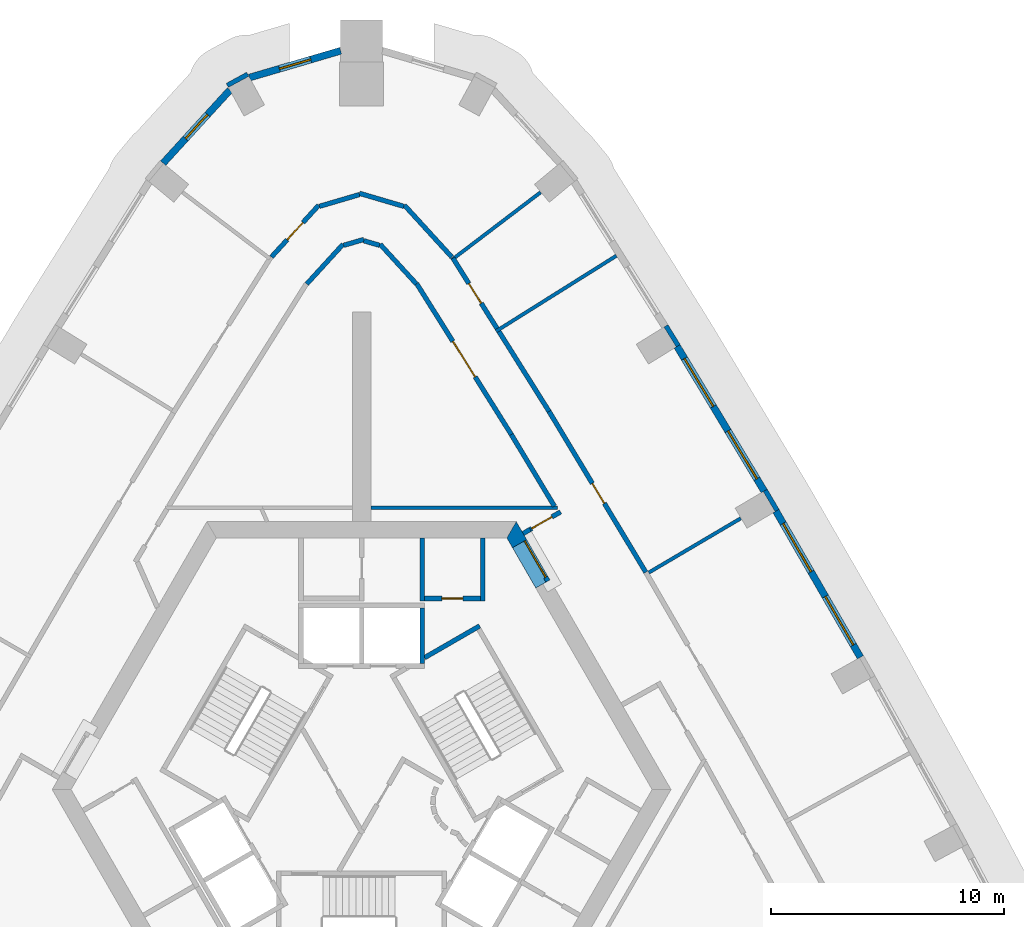
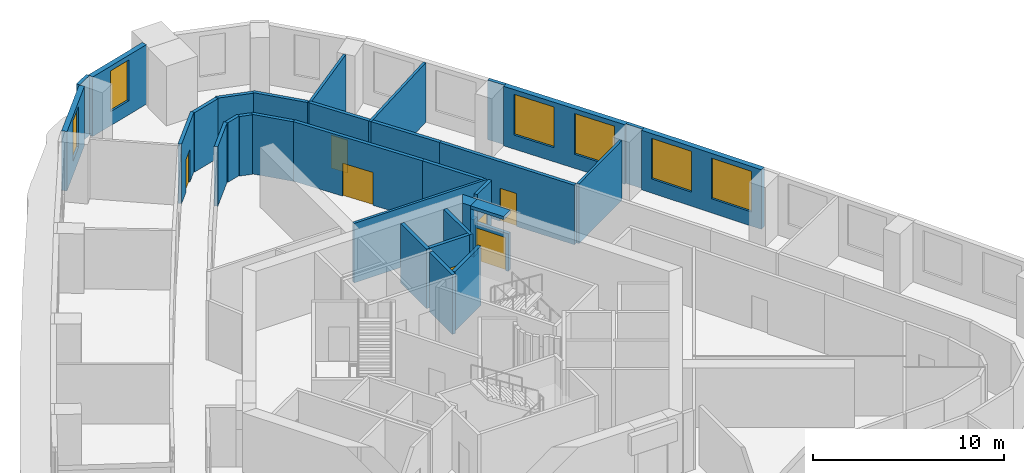
# One storey, part 9 of 13: 34 walls, 7 doors, 6 windows, 13 openings.
"""IFC4 building model written with IfcOpenShell, lengths in metres."""

from ifc_helpers import new_model, si_unit, direction, frame, frame_2d, origin, place, context, subcontext, project, spatial, polyline, rectangle, outline, extrude, material, layer, layer_set, type_object, element, fill, save


model = new_model("IFC4")

# Units and contexts
model_context = context("Model", 3, precision=1e-05, world=origin(), true_north=direction((0.0, 1.0)))
body_context = subcontext(model_context, "Body", "Model", "MODEL_VIEW")
ifc_project = project(units=[si_unit("LENGTHUNIT", "METRE"), si_unit("AREAUNIT", "SQUARE_METRE"), si_unit("VOLUMEUNIT", "CUBIC_METRE"), si_unit("PLANEANGLEUNIT", "RADIAN"), si_unit("MASSUNIT", "GRAM", prefix="KILO")], contexts=[model_context])

# Site, building, storey
site_placement = place(None, origin())
site = spatial("IfcSite", under=ifc_project, at=site_placement, CompositionType="ELEMENT")
building_placement = place(site_placement, origin())
building = spatial("IfcBuilding", under=site, at=building_placement, Name="Entoto Arch Interchange Tower", CompositionType="ELEMENT")
storey_placement = place(building_placement, frame((0.0, 0.0, 219.199951171875)))
storey = spatial("IfcBuildingStorey", under=building, at=storey_placement, Name="L49", CompositionType="ELEMENT", Elevation=219.199951171875)

# Wall, opening, door
ifc_material_1 = material(Name="Reinforced concrete C40/50", Category="concrete")
ifc_layer_1 = layer(ifc_material_1, 0.199951171875)
ifc_layer_set_1 = layer_set([ifc_layer_1], Name="Reinforced concrete C40/50")
wall_type_1 = type_object("IfcWallType", Name="CORE GAP INFILL WALL", PredefinedType="PARTITIONING", material=ifc_layer_set_1)
wall_1_placement = place(storey_placement, frame((7.9970703125, 11.447998046875, 0.0), z_axis=(0.0, 0.0, 1.0), x_axis=(-0.50002537861, 0.866010750942, 0.0)))
wall_1 = element("IfcWall", 1, at=wall_1_placement, inside=storey, type_object=wall_type_1, Name="wall:L49:gap2", PredefinedType="PARTITIONING", context=body_context, shape_type="SweptSolid", body=[
    extrude(rectangle(XDim=2.0, YDim=0.199951171875, at=frame_2d((1.0, 0.0))), origin(), (0.0, 0.0, 1.0), 2.400146484375),
])
opening_1_placement = place(wall_1_placement, frame((0.18994140625, 0.0, 0.0)))
opening_1 = element("IfcOpeningElement", 2, at=opening_1_placement, cuts=wall_1, Name="Opening L49-D92", PredefinedType="OPENING", context=body_context, shape_type="SweptSolid", body=[
    extrude(rectangle(XDim=1.800048828125, YDim=2.10009765625, at=frame_2d((0.89990234375, 1.050048828125))), frame((0.0, 0.10986328125, 0.0), z_axis=(0.0, -1.0, 0.0), x_axis=(1.0, 0.0, 0.0)), (0.0, 0.0, 1.0), 0.219970703125),
])
ifc_material_2 = material(Name="Fire-rated Steel S235 door and frame", Category="steel")
door_type_1 = type_object("IfcDoorType", Name="DOOR FD-18 1800x2100", OperationType="DOUBLE_DOOR_SINGLE_SWING", PredefinedType="DOOR", material=ifc_material_2)
door_1_placement = place(opening_1_placement, origin())
door_1 = element("IfcDoor", 3, at=door_1_placement, inside=storey, type_object=door_type_1, Name="door:L49:gap2", OperationType="DOUBLE_DOOR_SINGLE_SWING", OverallHeight=2.10009765625, OverallWidth=1.800048828125, PredefinedType="DOOR", context=body_context, shape_type="SweptSolid", body=[
    extrude(rectangle(XDim=1.800048828125, YDim=2.10009765625, at=frame_2d((0.89990234375, 1.050048828125))), frame((0.0, 0.02490234375, 0.0), z_axis=(0.0, -1.0, 0.0), x_axis=(1.0, 0.0, 0.0)), (0.0, 0.0, 1.0), 0.050048828125),
])
fill(opening_1, door_1)

# Walls
ifc_material_3 = material(Name="Concrete C50/60", Category="concrete")
ifc_layer_2 = layer(ifc_material_3, 0.699951171875)
ifc_layer_set_2 = layer_set([ifc_layer_2], Name="Concrete C50/60")
wall_type_2 = type_object("IfcWallType", Name="Core wall 700 C50/60", PredefinedType="SHEAR", material=ifc_layer_set_2)
wall_2_placement = place(storey_placement, frame((0.0, 0.0, -0.39990234375)))
element("IfcWall", 4, at=wall_2_placement, inside=storey, type_object=wall_type_2, Name="Core wall NE L49", PredefinedType="SHEAR", context=body_context, shape_type="SweptSolid", body=[
    extrude(outline(polyline([(6.47802734375, 12.8798828125), (7.083984375, 13.22998046875), (6.639892578125, 14.0), (6.235107421875, 13.300048828125), (6.47802734375, 12.8798828125)])), origin(), (0.0, 0.0, 1.0), 4.199951171875),
])
wall_3_placement = place(storey_placement, frame((0.0, 0.0, 3.60009765625)))
element("IfcWall", 5, at=wall_3_placement, inside=storey, type_object=wall_type_2, Name="Core wall lintel NE L49", PredefinedType="SHEAR", context=body_context, shape_type="SweptSolid", body=[
    extrude(outline(polyline([(7.083984375, 13.22998046875), (6.47802734375, 12.8798828125), (7.47802734375, 11.14794921875), (8.083984375, 11.498046875), (7.083984375, 13.22998046875)])), origin(), (0.0, 0.0, 1.0), 0.199951171875),
])
ifc_material_4 = material(Name="Concrete C40/50", Category="concrete")
ifc_layer_3 = layer(ifc_material_4, 0.199951171875)
ifc_layer_set_3 = layer_set([ifc_layer_3], Name="Concrete C40/50")
wall_type_3 = type_object("IfcWallType", Name="LIFT SHAFT WALL 200", PredefinedType="STANDARD", material=ifc_layer_set_3)
wall_4_placement = place(storey_placement, frame((2.60009765625, 7.89990234375, 0.0), z_axis=(0.0, 0.0, 1.0), x_axis=(0.0, 1.0, 0.0)))
element("IfcWall", 6, at=wall_4_placement, inside=storey, type_object=wall_type_3, Name="Shaft wall N1 cross 1", PredefinedType="STANDARD", context=body_context, shape_type="SweptSolid", body=[
    extrude(rectangle(XDim=2.400146484375, YDim=0.199951171875, at=frame_2d((1.2001953125, 0.0))), origin(), (0.0, 0.0, 1.0), 3.800048828125),
])
ifc_material_5 = material(Name="Gypsum board partition on steel studs", Category="steel")
ifc_layer_4 = layer(ifc_material_5, 0.14990234375)
ifc_layer_set_4 = layer_set([ifc_layer_4], Name="Gypsum board partition on steel studs")
wall_type_4 = type_object("IfcWallType", Name="PARTITION 150", PredefinedType="PARTITIONING", material=ifc_layer_set_4)
wall_5_placement = place(storey_placement, frame((8.4150390625, 14.60009765625, 0.0), z_axis=(0.0, 0.0, 1.0), x_axis=(-1.0, 0.0, 0.0)))
element("IfcWall", 7, at=wall_5_placement, inside=storey, type_object=wall_type_4, Name="wall:L49:p084", PredefinedType="PARTITIONING", context=body_context, shape_type="SweptSolid", body=[
    extrude(rectangle(XDim=8.01513671875, YDim=0.14990234375, at=frame_2d((4.007568359375, 0.0))), origin(), (0.0, 0.0, 1.0), 3.800048828125),
])
wall_6_placement = place(storey_placement, frame((12.325927734375, 11.81298828125, 0.0), z_axis=(0.0, 0.0, 1.0), x_axis=(0.861428100003, 0.507879541353, 0.0)))
element("IfcWall", 8, at=wall_6_placement, inside=storey, type_object=wall_type_4, Name="wall:L49:p120", PredefinedType="PARTITIONING", context=body_context, shape_type="SweptSolid", body=[
    extrude(rectangle(XDim=4.57958984375, YDim=0.14990234375, at=frame_2d((2.289794921875, 0.0))), origin(), (0.0, 0.0, 1.0), 3.800048828125),
])
wall_7_placement = place(storey_placement, frame((5.77001953125, 22.172119140625, 0.0), z_axis=(0.0, 0.0, 1.0), x_axis=(0.847187879248, 0.531293419171, 0.0)))
element("IfcWall", 9, at=wall_7_placement, inside=storey, type_object=wall_type_4, Name="wall:L49:p121", PredefinedType="PARTITIONING", context=body_context, shape_type="SweptSolid", body=[
    extrude(rectangle(XDim=6.10009765625, YDim=0.14990234375, at=frame_2d((3.050048828125, 0.0))), origin(), (0.0, 0.0, 1.0), 3.800048828125),
])
wall_8_placement = place(storey_placement, frame((3.85595703125, 25.22509765625, 0.0), z_axis=(0.0, 0.0, 1.0), x_axis=(0.795987848728, 0.605312600792, 0.0)))
element("IfcWall", 10, at=wall_8_placement, inside=storey, type_object=wall_type_4, Name="wall:L49:p122", PredefinedType="PARTITIONING", context=body_context, shape_type="SweptSolid", body=[
    extrude(rectangle(XDim=4.803955078125, YDim=0.14990234375, at=frame_2d((2.40185546875, 0.0))), origin(), (0.0, 0.0, 1.0), 3.800048828125),
])
ifc_layer_5 = layer(ifc_material_5, 0.199951171875)
ifc_layer_set_5 = layer_set([ifc_layer_5], Name="Gypsum board partition on steel studs")
wall_type_5 = type_object("IfcWallType", Name="PARTITION 200", PredefinedType="PARTITIONING", material=ifc_layer_set_5)
wall_9_placement = place(storey_placement, frame((6.93408203125, 13.489990234375, 0.0), z_axis=(0.0, 0.0, 1.0), x_axis=(0.865871789474, 0.500265973451, 0.0)))
element("IfcWall", 11, at=wall_9_placement, inside=storey, type_object=wall_type_5, Name="wall:L49:p001", PredefinedType="PARTITIONING", context=body_context, shape_type="SweptSolid", body=[
    extrude(rectangle(XDim=0.349853515625, YDim=0.199951171875, at=frame_2d((0.1748046875, 0.0))), origin(), (0.0, 0.0, 1.0), 2.400146484375),
])
wall_10_placement = place(storey_placement, frame((8.27587890625, 14.6640625, 0.0), z_axis=(0.0, 0.0, 1.0), x_axis=(-0.515416266777, 0.85693994652, 0.0)))
element("IfcWall", 12, at=wall_10_placement, inside=storey, type_object=wall_type_5, Name="wall:L49:p006", PredefinedType="PARTITIONING", context=body_context, shape_type="SweptSolid", body=[
    extrude(rectangle(XDim=3.587158203125, YDim=0.199951171875, at=frame_2d((1.79345703125, 0.0))), origin(), (0.0, 0.0, 1.0), 3.800048828125),
])

# Wall, opening, door
wall_11_placement = place(storey_placement, frame((6.427001953125, 17.738037109375, 0.0), z_axis=(0.0, 0.0, 1.0), x_axis=(-0.531335643981, 0.847161397512, 0.0)))
wall_11 = element("IfcWall", 13, at=wall_11_placement, inside=storey, type_object=wall_type_5, Name="wall:L49:p007", PredefinedType="PARTITIONING", context=body_context, shape_type="SweptSolid", body=[
    extrude(rectangle(XDim=7.646728515625, YDim=0.199951171875, at=frame_2d((3.8232421875, 0.0))), origin(), (0.0, 0.0, 1.0), 3.800048828125),
])
opening_2_placement = place(wall_11_placement, frame((2.923095703125, 0.0, 0.0)))
opening_2 = element("IfcOpeningElement", 14, at=opening_2_placement, cuts=wall_11, Name="Opening L49-D20", PredefinedType="OPENING", context=body_context, shape_type="SweptSolid", body=[
    extrude(rectangle(XDim=1.800048828125, YDim=2.10009765625, at=frame_2d((0.89990234375, 1.050048828125))), frame((0.0, 0.10986328125, 0.0), z_axis=(0.0, -1.0, 0.0), x_axis=(1.0, 0.0, 0.0)), (0.0, 0.0, 1.0), 0.219970703125),
])
ifc_material_6 = material(Name="Timber door leaf in Steel S235 frame", Category="steel")
door_type_2 = type_object("IfcDoorType", Name="DOOR DD-18 1800x2100", OperationType="DOUBLE_DOOR_SINGLE_SWING", PredefinedType="DOOR", material=ifc_material_6)
door_2_placement = place(opening_2_placement, origin())
door_2 = element("IfcDoor", 15, at=door_2_placement, inside=storey, type_object=door_type_2, Name="door:L49:20", OperationType="DOUBLE_DOOR_SINGLE_SWING", OverallHeight=2.10009765625, OverallWidth=1.800048828125, PredefinedType="DOOR", context=body_context, shape_type="SweptSolid", body=[
    extrude(rectangle(XDim=1.800048828125, YDim=2.10009765625, at=frame_2d((0.89990234375, 1.050048828125))), frame((0.0, 0.02490234375, 0.0), z_axis=(0.0, -1.0, 0.0), x_axis=(1.0, 0.0, 0.0)), (0.0, 0.0, 1.0), 0.050048828125),
])
fill(opening_2, door_2)

# Walls
wall_12_placement = place(storey_placement, frame((2.35009765625, 24.205078125, 0.0), z_axis=(0.0, 0.0, 1.0), x_axis=(-0.67475930229, 0.738037860799, 0.0)))
element("IfcWall", 16, at=wall_12_placement, inside=storey, type_object=wall_type_5, Name="wall:L49:p008", PredefinedType="PARTITIONING", context=body_context, shape_type="SweptSolid", body=[
    extrude(rectangle(XDim=2.30322265625, YDim=0.199951171875, at=frame_2d((1.151611328125, 0.0))), origin(), (0.0, 0.0, 1.0), 3.800048828125),
])
wall_13_placement = place(storey_placement, frame((0.76806640625, 25.860107421875, 0.0), z_axis=(0.0, 0.0, 1.0), x_axis=(-0.959714481723, 0.280977069476, 0.0)))
element("IfcWall", 17, at=wall_13_placement, inside=storey, type_object=wall_type_5, Name="wall:L49:p009", PredefinedType="PARTITIONING", context=body_context, shape_type="SweptSolid", body=[
    extrude(rectangle(XDim=0.700439453125, YDim=0.199951171875, at=frame_2d((0.35009765625, 0.0))), origin(), (0.0, 0.0, 1.0), 3.800048828125),
])
wall_14_placement = place(storey_placement, frame((0.095947265625, 26.113037109375, 0.0), z_axis=(0.0, 0.0, 1.0), x_axis=(-0.959723140705, -0.280947491882, 0.0)))
element("IfcWall", 18, at=wall_14_placement, inside=storey, type_object=wall_type_5, Name="wall:L49:p010", PredefinedType="PARTITIONING", context=body_context, shape_type="SweptSolid", body=[
    extrude(rectangle(XDim=0.900390625, YDim=0.199951171875, at=frame_2d((0.4501953125, 0.0))), origin(), (0.0, 0.0, 1.0), 3.800048828125),
])
wall_15_placement = place(storey_placement, frame((-0.7958984375, 25.905029296875, 0.0), z_axis=(0.0, 0.0, 1.0), x_axis=(-0.67475930229, -0.738037860799, 0.0)))
element("IfcWall", 19, at=wall_15_placement, inside=storey, type_object=wall_type_5, Name="wall:L49:p011", PredefinedType="PARTITIONING", context=body_context, shape_type="SweptSolid", body=[
    extrude(rectangle(XDim=2.30322265625, YDim=0.199951171875, at=frame_2d((1.151611328125, 0.0))), origin(), (0.0, 0.0, 1.0), 3.800048828125),
])
wall_16_placement = place(storey_placement, frame((5.89501953125, 22.162109375, 0.0), z_axis=(0.0, 0.0, 1.0), x_axis=(0.531245023709, -0.847218227368, 0.0)))
element("IfcWall", 20, at=wall_16_placement, inside=storey, type_object=wall_type_5, Name="wall:L49:p045", PredefinedType="PARTITIONING", context=body_context, shape_type="SweptSolid", body=[
    extrude(rectangle(XDim=4.048828125, YDim=0.199951171875, at=frame_2d((2.0244140625, 0.0))), origin(), (0.0, 0.0, 1.0), 3.800048828125),
])

# Wall, opening, door
wall_17_placement = place(storey_placement, frame((8.0458984375, 18.73193359375, 0.0), z_axis=(0.0, 0.0, 1.0), x_axis=(0.515502328211, -0.856888178007, 0.0)))
wall_17 = element("IfcWall", 21, at=wall_17_placement, inside=storey, type_object=wall_type_5, Name="wall:L49:p046", PredefinedType="PARTITIONING", context=body_context, shape_type="SweptSolid", body=[
    extrude(rectangle(XDim=8.058349609375, YDim=0.199951171875, at=frame_2d((4.029296875, 0.0))), origin(), (0.0, 0.0, 1.0), 3.800048828125),
])
opening_3_placement = place(wall_17_placement, frame((3.60400390625, 0.0, 0.0)))
opening_3 = element("IfcOpeningElement", 22, at=opening_3_placement, cuts=wall_17, Name="Opening L49-D05", PredefinedType="OPENING", context=body_context, shape_type="SweptSolid", body=[
    extrude(rectangle(XDim=1.0, YDim=2.10009765625, at=frame_2d((0.5, 1.050048828125))), frame((0.0, 0.10986328125, 0.0), z_axis=(0.0, -1.0, 0.0), x_axis=(1.0, 0.0, 0.0)), (0.0, 0.0, 1.0), 0.219970703125),
])
door_type_3 = type_object("IfcDoorType", Name="DOOR DS-10 1000x2100", OperationType="SINGLE_SWING_LEFT", PredefinedType="DOOR", material=ifc_material_6)
door_3_placement = place(opening_3_placement, origin())
door_3 = element("IfcDoor", 23, at=door_3_placement, inside=storey, type_object=door_type_3, Name="door:L49:05", OperationType="SINGLE_SWING_RIGHT", OverallHeight=2.10009765625, OverallWidth=1.0, PredefinedType="DOOR", context=body_context, shape_type="SweptSolid", body=[
    extrude(rectangle(XDim=1.0, YDim=2.10009765625, at=frame_2d((0.5, 1.050048828125))), frame((0.0, 0.02490234375, 0.0), z_axis=(0.0, -1.0, 0.0), x_axis=(1.0, 0.0, 0.0)), (0.0, 0.0, 1.0), 0.050048828125),
])
fill(opening_3, door_3)

wall_18_placement = place(storey_placement, frame((3.923095703125, 25.306884765625, 0.0), z_axis=(0.0, 0.0, 1.0), x_axis=(0.531150612982, -0.847277419934, 0.0)))
wall_18 = element("IfcWall", 24, at=wall_18_placement, inside=storey, type_object=wall_type_5, Name="wall:L49:p047", PredefinedType="PARTITIONING", context=body_context, shape_type="SweptSolid", body=[
    extrude(rectangle(XDim=3.561767578125, YDim=0.199951171875, at=frame_2d((1.78076171875, 0.0))), origin(), (0.0, 0.0, 1.0), 3.800048828125),
])
opening_4_placement = place(wall_18_placement, frame((1.281005859375, 0.0, 0.0)))
opening_4 = element("IfcOpeningElement", 25, at=opening_4_placement, cuts=wall_18, Name="Opening L49-D06", PredefinedType="OPENING", context=body_context, shape_type="SweptSolid", body=[
    extrude(rectangle(XDim=1.0, YDim=2.10009765625, at=frame_2d((0.5, 1.050048828125))), frame((0.0, 0.10986328125, 0.0), z_axis=(0.0, -1.0, 0.0), x_axis=(1.0, 0.0, 0.0)), (0.0, 0.0, 1.0), 0.219970703125),
])
door_4_placement = place(opening_4_placement, origin())
door_4 = element("IfcDoor", 26, at=door_4_placement, inside=storey, type_object=door_type_3, Name="door:L49:06", OperationType="SINGLE_SWING_LEFT", OverallHeight=2.10009765625, OverallWidth=1.0, PredefinedType="DOOR", context=body_context, shape_type="SweptSolid", body=[
    extrude(rectangle(XDim=1.0, YDim=2.10009765625, at=frame_2d((0.5, 1.050048828125))), frame((0.0, 0.02490234375, 0.0), z_axis=(0.0, -1.0, 0.0), x_axis=(1.0, 0.0, 0.0)), (0.0, 0.0, 1.0), 0.050048828125),
])
fill(opening_4, door_4)

wall_19_placement = place(storey_placement, frame((-3.868896484375, 25.360107421875, 0.0), z_axis=(0.0, 0.0, 1.0), x_axis=(0.674594755709, 0.738188265668, 0.0)))
wall_19 = element("IfcWall", 27, at=wall_19_placement, inside=storey, type_object=wall_type_5, Name="wall:L49:p048", PredefinedType="PARTITIONING", context=body_context, shape_type="SweptSolid", body=[
    extrude(rectangle(XDim=3.006103515625, YDim=0.199951171875, at=frame_2d((1.5029296875, 0.0))), origin(), (0.0, 0.0, 1.0), 3.800048828125),
])
opening_5_placement = place(wall_19_placement, frame((1.0029296875, 0.0, 0.0)))
opening_5 = element("IfcOpeningElement", 28, at=opening_5_placement, cuts=wall_19, Name="Opening L49-D07", PredefinedType="OPENING", context=body_context, shape_type="SweptSolid", body=[
    extrude(rectangle(XDim=1.0, YDim=2.10009765625, at=frame_2d((0.5, 1.050048828125))), frame((0.0, 0.10986328125, 0.0), z_axis=(0.0, -1.0, 0.0), x_axis=(1.0, 0.0, 0.0)), (0.0, 0.0, 1.0), 0.219970703125),
])
door_5_placement = place(opening_5_placement, origin())
door_5 = element("IfcDoor", 29, at=door_5_placement, inside=storey, type_object=door_type_3, Name="door:L49:07", OperationType="SINGLE_SWING_LEFT", OverallHeight=2.10009765625, OverallWidth=1.0, PredefinedType="DOOR", context=body_context, shape_type="SweptSolid", body=[
    extrude(rectangle(XDim=1.0, YDim=2.10009765625, at=frame_2d((0.5, 1.050048828125))), frame((0.0, 0.02490234375, 0.0), z_axis=(0.0, -1.0, 0.0), x_axis=(1.0, 0.0, 0.0)), (0.0, 0.0, 1.0), 0.050048828125),
])
fill(opening_5, door_5)

# Walls
wall_20_placement = place(storey_placement, frame((-1.81298828125, 27.532958984375, 0.0), z_axis=(0.0, 0.0, 1.0), x_axis=(0.959495744111, 0.281723121227, 0.0)))
element("IfcWall", 30, at=wall_20_placement, inside=storey, type_object=wall_type_5, Name="wall:L49:p049", PredefinedType="PARTITIONING", context=body_context, shape_type="SweptSolid", body=[
    extrude(rectangle(XDim=1.78955078125, YDim=0.199951171875, at=frame_2d((0.894775390625, 0.0))), origin(), (0.0, 0.0, 1.0), 3.800048828125),
])
wall_21_placement = place(storey_placement, frame((-0.095947265625, 28.093994140625, 0.0), z_axis=(0.0, 0.0, 1.0), x_axis=(0.959422144877, -0.281973665293, 0.0)))
element("IfcWall", 31, at=wall_21_placement, inside=storey, type_object=wall_type_5, Name="wall:L49:p050", PredefinedType="PARTITIONING", context=body_context, shape_type="SweptSolid", body=[
    extrude(rectangle(XDim=1.98974609375, YDim=0.199951171875, at=frame_2d((0.994873046875, 0.0))), origin(), (0.0, 0.0, 1.0), 3.800048828125),
])
wall_22_placement = place(storey_placement, frame((1.841064453125, 27.5791015625, 0.0), z_axis=(0.0, 0.0, 1.0), x_axis=(0.674594755709, -0.738188265668, 0.0)))
element("IfcWall", 32, at=wall_22_placement, inside=storey, type_object=wall_type_5, Name="wall:L49:p051", PredefinedType="PARTITIONING", context=body_context, shape_type="SweptSolid", body=[
    extrude(rectangle(XDim=3.006103515625, YDim=0.199951171875, at=frame_2d((1.5029296875, 0.0))), origin(), (0.0, 0.0, 1.0), 3.800048828125),
])
wall_23_placement = place(storey_placement, frame((5.199951171875, 13.300048828125, 0.0), z_axis=(0.0, 0.0, 1.0), x_axis=(0.0, -1.0, 0.0)))
element("IfcWall", 33, at=wall_23_placement, inside=storey, type_object=wall_type_5, Name="wall:L49:p067", PredefinedType="PARTITIONING", context=body_context, shape_type="SweptSolid", body=[
    extrude(rectangle(XDim=2.699951171875, YDim=0.199951171875, at=frame_2d((1.35009765625, 0.0))), origin(), (0.0, 0.0, 1.0), 3.800048828125),
])

# Wall, opening, door
wall_24_placement = place(storey_placement, frame((5.10009765625, 10.699951171875, 0.0), z_axis=(0.0, 0.0, 1.0), x_axis=(-1.0, 0.0, 0.0)))
wall_24 = element("IfcWall", 34, at=wall_24_placement, inside=storey, type_object=wall_type_5, Name="wall:L49:p068", PredefinedType="PARTITIONING", context=body_context, shape_type="SweptSolid", body=[
    extrude(rectangle(XDim=2.400146484375, YDim=0.199951171875, at=frame_2d((1.2001953125, 0.0))), origin(), (0.0, 0.0, 1.0), 3.800048828125),
])
opening_6_placement = place(wall_24_placement, frame((0.75, 0.0, 0.0)))
opening_6 = element("IfcOpeningElement", 35, at=opening_6_placement, cuts=wall_24, Name="Opening L49-D30", PredefinedType="OPENING", context=body_context, shape_type="SweptSolid", body=[
    extrude(rectangle(XDim=0.89990234375, YDim=2.10009765625, at=frame_2d((0.449951171875, 1.050048828125))), frame((0.0, 0.10986328125, 0.0), z_axis=(0.0, -1.0, 0.0), x_axis=(1.0, 0.0, 0.0)), (0.0, 0.0, 1.0), 0.219970703125),
])
door_type_4 = type_object("IfcDoorType", Name="DOOR DS-09 900x2100", OperationType="SINGLE_SWING_LEFT", PredefinedType="DOOR", material=ifc_material_6)
door_6_placement = place(opening_6_placement, origin())
door_6 = element("IfcDoor", 36, at=door_6_placement, inside=storey, type_object=door_type_4, Name="door:L49:30", OperationType="SINGLE_SWING_RIGHT", OverallHeight=2.10009765625, OverallWidth=0.89990234375, PredefinedType="DOOR", context=body_context, shape_type="SweptSolid", body=[
    extrude(rectangle(XDim=0.89990234375, YDim=2.10009765625, at=frame_2d((0.449951171875, 1.050048828125))), frame((0.0, 0.02490234375, 0.0), z_axis=(0.0, -1.0, 0.0), x_axis=(1.0, 0.0, 0.0)), (0.0, 0.0, 1.0), 0.050048828125),
])
fill(opening_6, door_6)

# Wall
wall_25_placement = place(storey_placement, frame((2.60009765625, 10.60009765625, 0.0), z_axis=(0.0, 0.0, 1.0), x_axis=(0.0, 1.0, 0.0)))
element("IfcWall", 37, at=wall_25_placement, inside=storey, type_object=wall_type_5, Name="wall:L49:p069", PredefinedType="PARTITIONING", context=body_context, shape_type="SweptSolid", body=[
    extrude(rectangle(XDim=2.699951171875, YDim=0.199951171875, at=frame_2d((1.35009765625, 0.0))), origin(), (0.0, 0.0, 1.0), 3.800048828125),
])

# Wall, opening, door
wall_26_placement = place(storey_placement, frame((7.237060546875, 13.6650390625, 0.0), z_axis=(0.0, 0.0, 1.0), x_axis=(0.865999269783, 0.500045262687, 0.0)))
wall_26 = element("IfcWall", 38, at=wall_26_placement, inside=storey, type_object=wall_type_5, Name="wall:L49:p001", PredefinedType="PARTITIONING", context=body_context, shape_type="SweptSolid", body=[
    extrude(rectangle(XDim=1.505615234375, YDim=0.199951171875, at=frame_2d((0.7529296875, 0.0))), origin(), (0.0, 0.0, 1.0), 3.800048828125),
])
opening_7_placement = place(wall_26_placement, frame((0.077880859375, 0.0, 0.0)))
opening_7 = element("IfcOpeningElement", 39, at=opening_7_placement, cuts=wall_26, Name="Opening L49-D25", PredefinedType="OPENING", context=body_context, shape_type="SweptSolid", body=[
    extrude(rectangle(XDim=1.0, YDim=2.10009765625, at=frame_2d((0.5, 1.050048828125))), frame((0.0, 0.10986328125, 0.0), z_axis=(0.0, -1.0, 0.0), x_axis=(1.0, 0.0, 0.0)), (0.0, 0.0, 1.0), 0.219970703125),
])
door_7_placement = place(opening_7_placement, origin())
door_7 = element("IfcDoor", 40, at=door_7_placement, inside=storey, type_object=door_type_3, Name="door:L49:25", OperationType="SINGLE_SWING_LEFT", OverallHeight=2.10009765625, OverallWidth=1.0, PredefinedType="DOOR", context=body_context, shape_type="SweptSolid", body=[
    extrude(rectangle(XDim=1.0, YDim=2.10009765625, at=frame_2d((0.5, 1.050048828125))), frame((0.0, 0.02490234375, 0.0), z_axis=(0.0, -1.0, 0.0), x_axis=(1.0, 0.0, 0.0)), (0.0, 0.0, 1.0), 0.050048828125),
])
fill(opening_7, door_7)

# Wall
ifc_layer_6 = layer(ifc_material_4, 0.199951171875)
ifc_layer_set_6 = layer_set([ifc_layer_6], Name="Concrete C40/50")
wall_type_6 = type_object("IfcWallType", Name="STAIR ENCLOSURE WALL 200", PredefinedType="STANDARD", material=ifc_layer_set_6)
wall_27_placement = place(storey_placement, frame((2.699951171875, 8.157958984375, 0.0), z_axis=(0.0, 0.0, 1.0), x_axis=(0.86611865017, 0.499838457731, 0.0)))
element("IfcWall", 41, at=wall_27_placement, inside=storey, type_object=wall_type_6, Name="Stair wall ST-NE far", PredefinedType="STANDARD", context=body_context, shape_type="SweptSolid", body=[
    extrude(rectangle(XDim=2.73291015625, YDim=0.199951171875, at=frame_2d((1.366455078125, 0.0))), origin(), (0.0, 0.0, 1.0), 3.800048828125),
])

# Wall, openings, windows
ifc_material_7 = material(Name="Welded tuff (ignimbrite) cladding, warm buff", Category="masonry")
ifc_layer_7 = layer(ifc_material_7, 0.300048828125)
ifc_layer_set_7 = layer_set([ifc_layer_7], Name="Welded tuff (ignimbrite) cladding, warm buff")
wall_type_7 = type_object("IfcWallType", Name="STONE INFILL WALL 300", PredefinedType="STANDARD", material=ifc_layer_set_7)
wall_28_placement = place(storey_placement, frame((21.410888671875, 8.177001953125, 0.0), z_axis=(0.0, 0.0, 1.0), x_axis=(-0.499968351115, 0.866043675505, 0.0)))
wall_28 = element("IfcWall", 42, at=wall_28_placement, inside=storey, type_object=wall_type_7, Name="Facade wall NE-03 L49", PredefinedType="STANDARD", context=body_context, shape_type="SweptSolid", body=[
    extrude(rectangle(XDim=7.248046875, YDim=0.300048828125, at=frame_2d((3.6240234375, 0.0))), origin(), (0.0, 0.0, 1.0), 3.800048828125),
])
opening_8_placement = place(wall_28_placement, frame((0.612060546875, 0.0, 0.89990234375)))
opening_8 = element("IfcOpeningElement", 43, at=opening_8_placement, cuts=wall_28, Name="Opening WO-A", PredefinedType="OPENING", context=body_context, shape_type="SweptSolid", body=[
    extrude(rectangle(XDim=2.39990234375, YDim=2.60009765625, at=frame_2d((1.199951171875, 1.300048828125))), frame((0.0, 0.16015625, 0.0), z_axis=(0.0, -1.0, 0.0), x_axis=(1.0, 0.0, 0.0)), (0.0, 0.0, 1.0), 0.320068359375),
])
opening_9_placement = place(wall_28_placement, frame((4.236083984375, 0.0, 0.89990234375)))
opening_9 = element("IfcOpeningElement", 44, at=opening_9_placement, cuts=wall_28, Name="Opening WO-A", PredefinedType="OPENING", context=body_context, shape_type="SweptSolid", body=[
    extrude(rectangle(XDim=2.39990234375, YDim=2.60009765625, at=frame_2d((1.199951171875, 1.300048828125))), frame((0.0, 0.16015625, 0.0), z_axis=(0.0, -1.0, 0.0), x_axis=(1.0, 0.0, 0.0)), (0.0, 0.0, 1.0), 0.320068359375),
])
ifc_material_8 = material(Name="Clear glass, low-e double glazed", Category="glass")
window_type_1 = type_object("IfcWindowType", Name="WINDOW WO-A 2400x2600", PartitioningType="DOUBLE_PANEL_VERTICAL", PredefinedType="WINDOW", material=ifc_material_8)
window_1_placement = place(opening_8_placement, origin())
window_1 = element("IfcWindow", 45, at=window_1_placement, inside=storey, type_object=window_type_1, Name="Window WO-A NE-03 L49", OverallHeight=2.60009765625, OverallWidth=2.39990234375, PartitioningType="SINGLE_PANEL", PredefinedType="WINDOW", context=body_context, shape_type="SweptSolid", body=[
    extrude(rectangle(XDim=2.39990234375, YDim=2.60009765625, at=frame_2d((1.199951171875, 1.300048828125))), frame((0.0, 0.030029296875, 0.0), z_axis=(0.0, -1.0, 0.0), x_axis=(1.0, 0.0, 0.0)), (0.0, 0.0, 1.0), 0.06005859375),
])
fill(opening_8, window_1)
window_2_placement = place(opening_9_placement, origin())
window_2 = element("IfcWindow", 46, at=window_2_placement, inside=storey, type_object=window_type_1, Name="Window WO-A NE-03 L49", OverallHeight=2.60009765625, OverallWidth=2.39990234375, PartitioningType="SINGLE_PANEL", PredefinedType="WINDOW", context=body_context, shape_type="SweptSolid", body=[
    extrude(rectangle(XDim=2.39990234375, YDim=2.60009765625, at=frame_2d((1.199951171875, 1.300048828125))), frame((0.0, 0.030029296875, 0.0), z_axis=(0.0, -1.0, 0.0), x_axis=(1.0, 0.0, 0.0)), (0.0, 0.0, 1.0), 0.06005859375),
])
fill(opening_9, window_2)

wall_29_placement = place(storey_placement, frame((17.281005859375, 15.31298828125, 0.0), z_axis=(0.0, 0.0, 1.0), x_axis=(-0.515560283412, 0.856853309597, 0.0)))
wall_29 = element("IfcWall", 47, at=wall_29_placement, inside=storey, type_object=wall_type_7, Name="Facade wall NE-04 L49", PredefinedType="STANDARD", context=body_context, shape_type="SweptSolid", body=[
    extrude(rectangle(XDim=7.24853515625, YDim=0.300048828125, at=frame_2d((3.624267578125, 0.0))), origin(), (0.0, 0.0, 1.0), 3.800048828125),
])
opening_10_placement = place(wall_29_placement, frame((0.612060546875, 0.0, 0.89990234375)))
opening_10 = element("IfcOpeningElement", 48, at=opening_10_placement, cuts=wall_29, Name="Opening WO-A", PredefinedType="OPENING", context=body_context, shape_type="SweptSolid", body=[
    extrude(rectangle(XDim=2.39990234375, YDim=2.60009765625, at=frame_2d((1.199951171875, 1.300048828125))), frame((0.0, 0.16015625, 0.0), z_axis=(0.0, -1.0, 0.0), x_axis=(1.0, 0.0, 0.0)), (0.0, 0.0, 1.0), 0.320068359375),
])
opening_11_placement = place(wall_29_placement, frame((4.236083984375, 0.0, 0.89990234375)))
opening_11 = element("IfcOpeningElement", 49, at=opening_11_placement, cuts=wall_29, Name="Opening WO-A", PredefinedType="OPENING", context=body_context, shape_type="SweptSolid", body=[
    extrude(rectangle(XDim=2.39990234375, YDim=2.60009765625, at=frame_2d((1.199951171875, 1.300048828125))), frame((0.0, 0.16015625, 0.0), z_axis=(0.0, -1.0, 0.0), x_axis=(1.0, 0.0, 0.0)), (0.0, 0.0, 1.0), 0.320068359375),
])
window_3_placement = place(opening_10_placement, origin())
window_3 = element("IfcWindow", 50, at=window_3_placement, inside=storey, type_object=window_type_1, Name="Window WO-A NE-04 L49", OverallHeight=2.60009765625, OverallWidth=2.39990234375, PartitioningType="SINGLE_PANEL", PredefinedType="WINDOW", context=body_context, shape_type="SweptSolid", body=[
    extrude(rectangle(XDim=2.39990234375, YDim=2.60009765625, at=frame_2d((1.199951171875, 1.300048828125))), frame((0.0, 0.030029296875, 0.0), z_axis=(0.0, -1.0, 0.0), x_axis=(1.0, 0.0, 0.0)), (0.0, 0.0, 1.0), 0.06005859375),
])
fill(opening_10, window_3)
window_4_placement = place(opening_11_placement, origin())
window_4 = element("IfcWindow", 51, at=window_4_placement, inside=storey, type_object=window_type_1, Name="Window WO-A NE-04 L49", OverallHeight=2.60009765625, OverallWidth=2.39990234375, PartitioningType="SINGLE_PANEL", PredefinedType="WINDOW", context=body_context, shape_type="SweptSolid", body=[
    extrude(rectangle(XDim=2.39990234375, YDim=2.60009765625, at=frame_2d((1.199951171875, 1.300048828125))), frame((0.0, 0.030029296875, 0.0), z_axis=(0.0, -1.0, 0.0), x_axis=(1.0, 0.0, 0.0)), (0.0, 0.0, 1.0), 0.06005859375),
])
fill(opening_11, window_4)

# Wall, opening, window
wall_30_placement = place(storey_placement, frame((-0.89892578125, 34.2109375, 0.0), z_axis=(0.0, 0.0, 1.0), x_axis=(-0.959458909918, -0.281848541203, 0.0)))
wall_30 = element("IfcWall", 52, at=wall_30_placement, inside=storey, type_object=wall_type_7, Name="Facade wall N-03 L49", PredefinedType="STANDARD", context=body_context, shape_type="SweptSolid", body=[
    extrude(rectangle(XDim=4.076416015625, YDim=0.300048828125, at=frame_2d((2.0380859375, 0.0))), origin(), (0.0, 0.0, 1.0), 3.800048828125),
])
opening_12_placement = place(wall_30_placement, frame((1.337890625, 0.0, 0.89990234375)))
opening_12 = element("IfcOpeningElement", 53, at=opening_12_placement, cuts=wall_30, Name="Opening WO-B", PredefinedType="OPENING", context=body_context, shape_type="SweptSolid", body=[
    extrude(rectangle(XDim=1.39990234375, YDim=2.60009765625, at=frame_2d((0.699951171875, 1.300048828125))), frame((0.0, 0.16015625, 0.0), z_axis=(0.0, -1.0, 0.0), x_axis=(1.0, 0.0, 0.0)), (0.0, 0.0, 1.0), 0.320068359375),
])
window_type_2 = type_object("IfcWindowType", Name="WINDOW WO-B 1400x2600", PartitioningType="DOUBLE_PANEL_VERTICAL", PredefinedType="WINDOW", material=ifc_material_8)
window_5_placement = place(opening_12_placement, origin())
window_5 = element("IfcWindow", 54, at=window_5_placement, inside=storey, type_object=window_type_2, Name="Window WO-B N-03 L49", OverallHeight=2.60009765625, OverallWidth=1.39990234375, PartitioningType="SINGLE_PANEL", PredefinedType="WINDOW", context=body_context, shape_type="SweptSolid", body=[
    extrude(rectangle(XDim=1.39990234375, YDim=2.60009765625, at=frame_2d((0.699951171875, 1.300048828125))), frame((0.0, 0.030029296875, 0.0), z_axis=(0.0, -1.0, 0.0), x_axis=(1.0, 0.0, 0.0)), (0.0, 0.0, 1.0), 0.06005859375),
])
fill(opening_12, window_5)

wall_31_placement = place(storey_placement, frame((-5.653076171875, 32.52392578125, 0.0), z_axis=(0.0, 0.0, 1.0), x_axis=(-0.674487390017, -0.738286367684, 0.0)))
wall_31 = element("IfcWall", 55, at=wall_31_placement, inside=storey, type_object=wall_type_7, Name="Facade wall N-04 L49", PredefinedType="STANDARD", context=body_context, shape_type="SweptSolid", body=[
    extrude(rectangle(XDim=4.24755859375, YDim=0.300048828125, at=frame_2d((2.123779296875, 0.0))), origin(), (0.0, 0.0, 1.0), 3.800048828125),
])
opening_13_placement = place(wall_31_placement, frame((1.424072265625, 0.0, 0.89990234375)))
opening_13 = element("IfcOpeningElement", 56, at=opening_13_placement, cuts=wall_31, Name="Opening WO-B", PredefinedType="OPENING", context=body_context, shape_type="SweptSolid", body=[
    extrude(rectangle(XDim=1.39990234375, YDim=2.60009765625, at=frame_2d((0.699951171875, 1.300048828125))), frame((0.0, 0.16015625, 0.0), z_axis=(0.0, -1.0, 0.0), x_axis=(1.0, 0.0, 0.0)), (0.0, 0.0, 1.0), 0.320068359375),
])
window_6_placement = place(opening_13_placement, origin())
window_6 = element("IfcWindow", 57, at=window_6_placement, inside=storey, type_object=window_type_2, Name="Window WO-B N-04 L49", OverallHeight=2.60009765625, OverallWidth=1.39990234375, PartitioningType="SINGLE_PANEL", PredefinedType="WINDOW", context=body_context, shape_type="SweptSolid", body=[
    extrude(rectangle(XDim=1.39990234375, YDim=2.60009765625, at=frame_2d((0.699951171875, 1.300048828125))), frame((0.0, 0.030029296875, 0.0), z_axis=(0.0, -1.0, 0.0), x_axis=(1.0, 0.0, 0.0)), (0.0, 0.0, 1.0), 0.06005859375),
])
fill(opening_13, window_6)

# Walls
ifc_layer_8 = layer(ifc_material_7, 0.199951171875)
ifc_layer_set_8 = layer_set([ifc_layer_8], Name="Welded tuff (ignimbrite) cladding, warm buff")
wall_type_8 = type_object("IfcWallType", Name="STONE PIER CLADDING 200", PredefinedType="STANDARD", material=ifc_layer_set_8)
for number, where, z_axis, x_axis, name in (
    (58, (-4.885986328125, 33.2041015625, 0.0), (0.0, 0.0, 1.0), (-0.878250009632, -0.478201757191, 0.0), "Stone pier N3 L49"),
    (59, (17.8349609375, 14.48095703125, 0.0), (0.0, 0.0, 1.0), (-0.508161541526, 0.861261776531, 0.0), "Stone pier NE04 L49"),
):
    element("IfcWall", number, at=place(storey_placement, frame(where, z_axis=z_axis, x_axis=x_axis)), inside=storey, type_object=wall_type_8, Name=name, PredefinedType="STANDARD", context=body_context, shape_type="SweptSolid", body=[
        extrude(rectangle(XDim=0.999755859375, YDim=0.199951171875, at=frame_2d((0.5, 0.0))), origin(), (0.0, 0.0, 1.0), 3.800048828125),
    ])
wall_32_placement = place(storey_placement, frame((13.592041015625, 21.552001953125, 0.0), z_axis=(0.0, 0.0, 1.0), x_axis=(-0.525825307325, 0.850592585306, 0.0)))
element("IfcWall", 60, at=wall_32_placement, inside=storey, type_object=wall_type_8, Name="Stone pier NE05 L49", PredefinedType="STANDARD", context=body_context, shape_type="SweptSolid", body=[
    extrude(rectangle(XDim=1.00048828125, YDim=0.199951171875, at=frame_2d((0.500244140625, 0.0))), origin(), (0.0, 0.0, 1.0), 3.800048828125),
])

save(model, "model.ifc")
